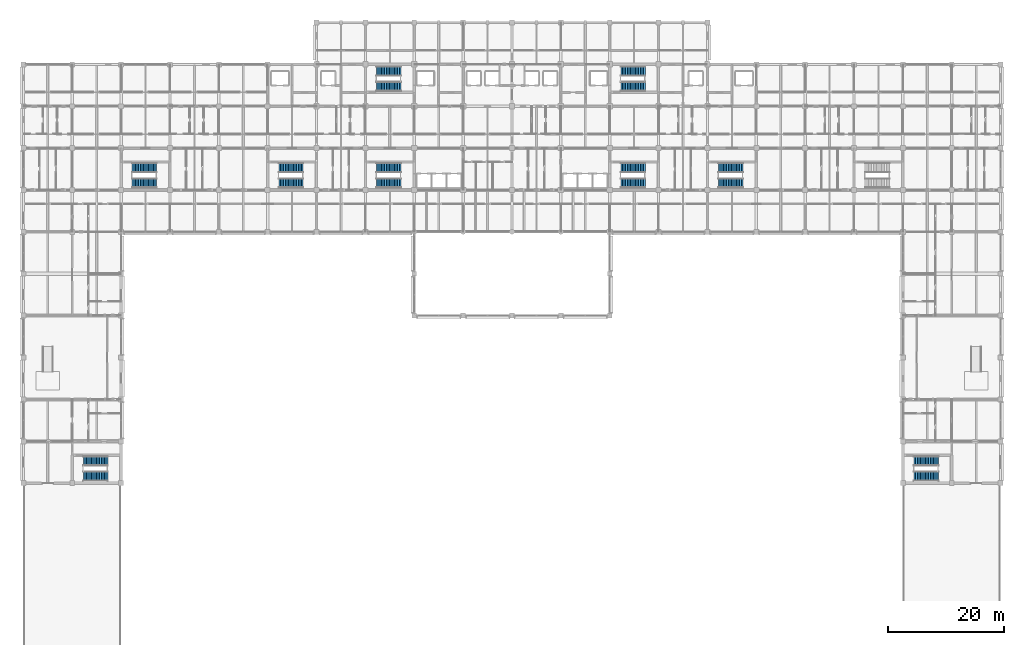
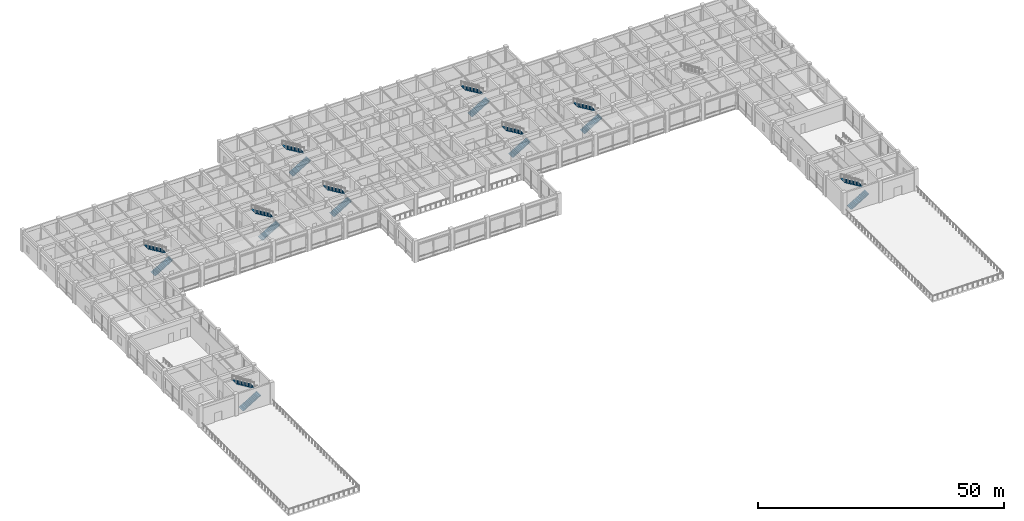
# One storey, part 43 of 51: 18 stair flights, 9 elements without a shape of their own.
"""IFC4 building model written with IfcOpenShell, lengths in metres."""

import ifcopenshell
import ifcopenshell.guid

model = None  # the IFC model being written
_history = None  # IfcOwnerHistory: only IFC2X3 demands one
_inside = {}  # id of a spatial element -> (the spatial element, [elements in it])
_under = {}  # id of a project, library or spatial element -> (it, [spatial elements below it])
_declared = {}  # id of a project -> (the project, [libraries it declares])
_typed = {}  # id of a type object -> (the type object, [elements of that type])
_made_of = {}  # id of a material, layer set ... -> (it, [elements and type objects made of it])


def new_model(schema):
    """Start an empty IFC model of exactly this schema.

    Asked for "IFC4X3", IfcOpenShell would pick the latest addendum, in which some entities
    have other attributes; the version numbers below select the first issue.
    IFC2X3 requires an IfcOwnerHistory on every rooted entity: one is made here for all.
    """
    global model, _history
    if schema == "IFC4X3":
        model = ifcopenshell.file(schema_version=(4, 3, 0, 0))
    else:
        model = ifcopenshell.file(schema=schema)
    _inside.clear()
    _under.clear()
    _declared.clear()
    _typed.clear()
    _made_of.clear()
    _history = None
    if model.schema == "IFC2X3":
        org = make("IfcOrganization", Name="unknown")
        user = make(
            "IfcPersonAndOrganization",
            ThePerson=make("IfcPerson", FamilyName="unknown"),
            TheOrganization=org,
        )
        app = make(
            "IfcApplication",
            ApplicationDeveloper=org,
            Version="unknown",
            ApplicationFullName="unknown",
            ApplicationIdentifier="unknown",
        )
        _history = make(
            "IfcOwnerHistory",
            OwningUser=user,
            OwningApplication=app,
            ChangeAction="ADDED",
            CreationDate=0,
        )
    return model


def make(cls, **values):
    """One entity of the class cls with the attributes given. An attribute that is None is left unset."""
    return model.create_entity(
        cls, **{name: value for name, value in values.items() if value is not None}
    )


def rooted(cls, **values):
    """An entity with a GlobalId (a new one), such as an element, a storey or a relation."""
    return make(cls, GlobalId=ifcopenshell.guid.new(), OwnerHistory=_history, **values)


def si_unit(unit_type, name, prefix=None):
    """IfcSIUnit, for example si_unit("LENGTHUNIT", "METRE", prefix="MILLI")."""
    return make("IfcSIUnit", UnitType=unit_type, Prefix=prefix, Name=name)


def assignment(units):
    """IfcUnitAssignment: the units of a project."""
    return None if units is None else make("IfcUnitAssignment", Units=units)


def point(xyz):
    """IfcCartesianPoint."""
    return None if xyz is None else make("IfcCartesianPoint", Coordinates=xyz)


def direction(xyz):
    """IfcDirection."""
    return None if xyz is None else make("IfcDirection", DirectionRatios=xyz)


def frame(location, z_axis=None, x_axis=None):
    """IfcAxis2Placement3D, a coordinate frame: its origin and axes. An axis left out is left unset."""
    return make(
        "IfcAxis2Placement3D",
        Location=point(location),
        Axis=direction(z_axis),
        RefDirection=direction(x_axis),
    )


def origin():
    """The frame at (0, 0, 0) with its axes left unset."""
    return frame((0.0, 0.0, 0.0))


def place(relative_to, where):
    """IfcLocalPlacement: puts the frame where relative to a parent placement (None: the world)."""
    return make(
        "IfcLocalPlacement", PlacementRelTo=relative_to, RelativePlacement=where
    )


def context(
    kind, dimensions, precision=None, world=None, true_north=None, identifier=None
):
    """IfcGeometricRepresentationContext, for example the 3D "Model" context."""
    return make(
        "IfcGeometricRepresentationContext",
        ContextIdentifier=identifier,
        ContextType=kind,
        CoordinateSpaceDimension=dimensions,
        Precision=precision,
        WorldCoordinateSystem=world,
        TrueNorth=true_north,
    )


def subcontext(parent, identifier, kind, view, scale=None):
    """IfcGeometricRepresentationSubContext, for example "Body" below "Model"."""
    return make(
        "IfcGeometricRepresentationSubContext",
        ContextIdentifier=identifier,
        ContextType=kind,
        ParentContext=parent,
        TargetScale=scale,
        TargetView=view,
    )


def project(units=None, contexts=None):
    """IfcProject with its units and contexts."""
    return rooted(
        "IfcProject",
        Name="project",
        RepresentationContexts=contexts,
        UnitsInContext=assignment(units),
    )


def spatial(cls, under=None, at=None, **own):
    """A site, building, storey or space (cls), placed at a placement, below another one or the project."""
    s = rooted(cls, ObjectPlacement=at, **own)
    if under is not None:
        _under.setdefault(under.id(), (under, []))[1].append(s)
    return s


def polyline(points):
    """IfcPolyline through the points."""
    return make("IfcPolyline", Points=[point(p) for p in points])


def outline(outer, holes=None, kind="AREA"):
    """IfcArbitraryClosedProfileDef: a profile drawn as a closed curve; with holes, ...WithVoids."""
    if holes is None:
        return make("IfcArbitraryClosedProfileDef", ProfileType=kind, OuterCurve=outer)
    return make(
        "IfcArbitraryProfileDefWithVoids",
        ProfileType=kind,
        OuterCurve=outer,
        InnerCurves=holes,
    )


def extrude(swept, where, along, depth):
    """IfcExtrudedAreaSolid: the profile swept, set in the frame where, extruded along a direction by depth."""
    return make(
        "IfcExtrudedAreaSolid",
        SweptArea=swept,
        Position=where,
        ExtrudedDirection=direction(along),
        Depth=depth,
    )


def shape(context_of_items, identifier, shape_type, items):
    """IfcShapeRepresentation: the items that make up one representation, for example the "Body"."""
    return make(
        "IfcShapeRepresentation",
        ContextOfItems=context_of_items,
        RepresentationIdentifier=identifier,
        RepresentationType=shape_type,
        Items=items,
    )


def material(Name=None, Category=None):
    """IfcMaterial."""
    return make("IfcMaterial", Name=Name, Category=Category)


def made_of(thing, what):
    """Note that an element or type object is made of a material, layer set ...; save() writes the relation."""
    if what is not None:
        _made_of.setdefault(what.id(), (what, []))[1].append(thing)
    return thing


def type_object(cls, material=None, **own):
    """A type object (cls), such as IfcWallType, which elements share."""
    return made_of(rooted(cls, **own), material)


def element(
    cls,
    number,
    at=None,
    inside=None,
    cuts=None,
    type_object=None,
    material=None,
    context=None,
    identifier="Body",
    shape_type=None,
    held_by="IfcProductDefinitionShape",
    body=None,
    shapes=None,
    **own,
):
    """One element of the class cls, such as IfcWall. Its Tag is "e" and its number.

    at: its placement. inside: the storey or other place that contains it. cuts: it is an
    opening in that element (IfcRelVoidsElement). A single representation is given by context,
    identifier, shape_type and body (its items); several are given by shapes. held_by: the class
    of the entity that holds the representations. save() writes the other relations.
    """
    e = rooted(cls, Tag="e%d" % number, ObjectPlacement=at, **own)
    if body is not None:
        shapes = [shape(context, identifier, shape_type, body)]
    if shapes is not None:
        e.Representation = make(held_by, Representations=shapes)
    if inside is not None:
        _inside.setdefault(inside.id(), (inside, []))[1].append(e)
    if cuts is not None:
        rooted(
            "IfcRelVoidsElement", RelatingBuildingElement=cuts, RelatedOpeningElement=e
        )
    if type_object is not None:
        _typed.setdefault(type_object.id(), (type_object, []))[1].append(e)
    return made_of(e, material)


def aggregate(whole, parts):
    """IfcRelAggregates: a whole, such as a stair, and the parts it consists of."""
    return rooted("IfcRelAggregates", RelatingObject=whole, RelatedObjects=parts)


def save(model, path):
    """Write the relations noted so far, then the file.

    IfcRelAggregates (storeys below a building ...), IfcRelContainedInSpatialStructure (elements
    in a storey), IfcRelDefinesByType, IfcRelAssociatesMaterial and IfcRelDeclares: one each for
    every whole, place, type object, material and project.
    """
    for whole, parts in _under.values():
        aggregate(whole, parts)
    for where, things in _inside.values():
        rooted(
            "IfcRelContainedInSpatialStructure",
            RelatedElements=things,
            RelatingStructure=where,
        )
    for kind, things in _typed.values():
        rooted("IfcRelDefinesByType", RelatedObjects=things, RelatingType=kind)
    for what, things in _made_of.values():
        rooted("IfcRelAssociatesMaterial", RelatedObjects=things, RelatingMaterial=what)
    for by, libraries in _declared.values():
        rooted("IfcRelDeclares", RelatingContext=by, RelatedDefinitions=libraries)
    model.write(path)


model = new_model("IFC4")

# Units and contexts
model_context = context("Model", 3, precision=1e-05, world=origin(), true_north=direction((0.0, 1.0)))
body_context = subcontext(model_context, "Body", "Model", "MODEL_VIEW")
ifc_project = project(units=[si_unit("LENGTHUNIT", "METRE"), si_unit("AREAUNIT", "SQUARE_METRE"), si_unit("VOLUMEUNIT", "CUBIC_METRE"), si_unit("PLANEANGLEUNIT", "RADIAN"), si_unit("MASSUNIT", "GRAM", prefix="KILO")], contexts=[model_context])

# Site, building, storey
site_placement = place(None, origin())
site = spatial("IfcSite", under=ifc_project, at=site_placement, CompositionType="ELEMENT")
building_placement = place(site_placement, origin())
building = spatial("IfcBuilding", under=site, at=building_placement, Name="Chengyuan Square Courthouse", CompositionType="ELEMENT")
storey_placement = place(building_placement, frame((0.0, 0.0, 10.800048828125)))
storey = spatial("IfcBuildingStorey", under=building, at=storey_placement, Name="L03", CompositionType="ELEMENT", Elevation=10.800048828125)

# Stair, stair flights
ifc_material = material(Name="Concrete C40", Category="concrete")
stair_type_1 = type_object("IfcStairType", Name="ST-TYPE-01", PredefinedType="HALF_TURN_STAIR", material=ifc_material)
stair_1_placement = place(storey_placement, origin())
stair_1 = element("IfcStair", 1, at=stair_1_placement, inside=storey, type_object=stair_type_1, Name="Smoke-Proof Exit Stair ST-1 (L03 to L04)", PredefinedType="HALF_TURN_STAIR")
stair_flight_type_1 = type_object("IfcStairFlightType", Name="STF-TYPE-01", PredefinedType="STRAIGHT", material=ifc_material)
stair_flight_1_placement = place(storey_placement, frame((60.7099609375, 104.175048828125, 0.0), z_axis=(0.0, 0.0, 1.0), x_axis=(1.0, 0.0, 0.0)))
stair_flight_1 = element("IfcStairFlight", 2, at=stair_flight_1_placement, type_object=stair_flight_type_1, Name="ST-1 flight 1", NumberOfRisers=16, NumberOfTreads=15, PredefinedType="STRAIGHT", RiserHeight=0.16875, TreadLength=0.28, context=body_context, shape_type="SweptSolid", body=[
    extrude(outline(polyline([(0.0, 0.0), (0.0, 0.168701171875), (0.280029296875, 0.168701171875), (0.280029296875, 0.33740234375), (0.56005859375, 0.33740234375), (0.56005859375, 0.50634765625), (0.840087890625, 0.50634765625), (0.840087890625, 0.675048828125), (1.1201171875, 0.675048828125), (1.1201171875, 0.84375), (1.39990234375, 0.84375), (1.39990234375, 1.012451171875), (1.679931640625, 1.012451171875), (1.679931640625, 1.18115234375), (1.9599609375, 1.18115234375), (1.9599609375, 1.35009765625), (2.239990234375, 1.35009765625), (2.239990234375, 1.518798828125), (2.52001953125, 1.518798828125), (2.52001953125, 1.6875), (2.800048828125, 1.6875), (2.800048828125, 1.856201171875), (3.080078125, 1.856201171875), (3.080078125, 2.02490234375), (3.360107421875, 2.02490234375), (3.360107421875, 2.19384765625), (3.639892578125, 2.19384765625), (3.639892578125, 2.362548828125), (3.919921875, 2.362548828125), (3.919921875, 2.53125), (4.199951171875, 2.53125), (4.199951171875, 2.699951171875), (4.199951171875, 2.356201171875), (0.29052734375, 0.0), (0.0, 0.0)])), frame((0.0, 0.824951171875, 0.0), z_axis=(0.0, -1.0, 0.0), x_axis=(1.0, 0.0, 0.0)), (0.0, 0.0, 1.0), 1.64990234375),
])
stair_flight_2_placement = place(storey_placement, frame((64.909912109375, 106.824951171875, 2.699951171875), z_axis=(0.0, 0.0, 1.0), x_axis=(-1.0, 0.0, 0.0)))
stair_flight_2 = element("IfcStairFlight", 3, at=stair_flight_2_placement, type_object=stair_flight_type_1, Name="ST-1 flight 2", NumberOfRisers=16, NumberOfTreads=15, PredefinedType="STRAIGHT", RiserHeight=0.16875, TreadLength=0.28, context=body_context, shape_type="SweptSolid", body=[
    extrude(outline(polyline([(0.0, 0.0), (0.0, 0.168701171875), (0.280029296875, 0.168701171875), (0.280029296875, 0.33740234375), (0.56005859375, 0.33740234375), (0.56005859375, 0.50634765625), (0.840087890625, 0.50634765625), (0.840087890625, 0.675048828125), (1.1201171875, 0.675048828125), (1.1201171875, 0.84375), (1.39990234375, 0.84375), (1.39990234375, 1.012451171875), (1.679931640625, 1.012451171875), (1.679931640625, 1.18115234375), (1.9599609375, 1.18115234375), (1.9599609375, 1.35009765625), (2.239990234375, 1.35009765625), (2.239990234375, 1.518798828125), (2.52001953125, 1.518798828125), (2.52001953125, 1.6875), (2.800048828125, 1.6875), (2.800048828125, 1.856201171875), (3.080078125, 1.856201171875), (3.080078125, 2.02490234375), (3.360107421875, 2.02490234375), (3.360107421875, 2.19384765625), (3.639892578125, 2.19384765625), (3.639892578125, 2.362548828125), (3.919921875, 2.362548828125), (3.919921875, 2.53125), (4.199951171875, 2.53125), (4.199951171875, 2.699951171875), (4.199951171875, 2.356201171875), (0.29052734375, 0.0), (0.0, 0.0)])), frame((0.0, 0.824951171875, 0.0), z_axis=(0.0, -1.0, 0.0), x_axis=(1.0, 0.0, 0.0)), (0.0, 0.0, 1.0), 1.64990234375),
])
aggregate(stair_1, [stair_flight_1, stair_flight_2])

stair_type_2 = type_object("IfcStairType", Name="ST-TYPE-02", PredefinedType="HALF_TURN_STAIR", material=ifc_material)
stair_2_placement = place(storey_placement, origin())
stair_2 = element("IfcStair", 4, at=stair_2_placement, inside=storey, type_object=stair_type_2, Name="Smoke-Proof Exit Stair ST-2 (L03 to L04)", PredefinedType="HALF_TURN_STAIR")
stair_flight_type_2 = type_object("IfcStairFlightType", Name="STF-TYPE-02", PredefinedType="STRAIGHT", material=ifc_material)
stair_flight_3_placement = place(storey_placement, frame((102.7099609375, 104.175048828125, 0.0), z_axis=(0.0, 0.0, 1.0), x_axis=(1.0, 0.0, 0.0)))
stair_flight_3 = element("IfcStairFlight", 5, at=stair_flight_3_placement, type_object=stair_flight_type_2, Name="ST-2 flight 1", NumberOfRisers=16, NumberOfTreads=15, PredefinedType="STRAIGHT", RiserHeight=0.16875, TreadLength=0.28, context=body_context, shape_type="SweptSolid", body=[
    extrude(outline(polyline([(0.0, 0.0), (0.0, 0.168701171875), (0.280029296875, 0.168701171875), (0.280029296875, 0.33740234375), (0.56005859375, 0.33740234375), (0.56005859375, 0.50634765625), (0.840087890625, 0.50634765625), (0.840087890625, 0.675048828125), (1.1201171875, 0.675048828125), (1.1201171875, 0.84375), (1.39990234375, 0.84375), (1.39990234375, 1.012451171875), (1.679931640625, 1.012451171875), (1.679931640625, 1.18115234375), (1.9599609375, 1.18115234375), (1.9599609375, 1.35009765625), (2.239990234375, 1.35009765625), (2.239990234375, 1.518798828125), (2.52001953125, 1.518798828125), (2.52001953125, 1.6875), (2.800048828125, 1.6875), (2.800048828125, 1.856201171875), (3.080078125, 1.856201171875), (3.080078125, 2.02490234375), (3.360107421875, 2.02490234375), (3.360107421875, 2.19384765625), (3.639892578125, 2.19384765625), (3.639892578125, 2.362548828125), (3.919921875, 2.362548828125), (3.919921875, 2.53125), (4.199951171875, 2.53125), (4.199951171875, 2.699951171875), (4.199951171875, 2.356201171875), (0.29052734375, 0.0), (0.0, 0.0)])), frame((0.0, 0.824951171875, 0.0), z_axis=(0.0, -1.0, 0.0), x_axis=(1.0, 0.0, 0.0)), (0.0, 0.0, 1.0), 1.64990234375),
])
stair_flight_4_placement = place(storey_placement, frame((106.909912109375, 106.824951171875, 2.699951171875), z_axis=(0.0, 0.0, 1.0), x_axis=(-1.0, 0.0, 0.0)))
stair_flight_4 = element("IfcStairFlight", 6, at=stair_flight_4_placement, type_object=stair_flight_type_2, Name="ST-2 flight 2", NumberOfRisers=16, NumberOfTreads=15, PredefinedType="STRAIGHT", RiserHeight=0.16875, TreadLength=0.28, context=body_context, shape_type="SweptSolid", body=[
    extrude(outline(polyline([(0.0, 0.0), (0.0, 0.168701171875), (0.280029296875, 0.168701171875), (0.280029296875, 0.33740234375), (0.56005859375, 0.33740234375), (0.56005859375, 0.50634765625), (0.840087890625, 0.50634765625), (0.840087890625, 0.675048828125), (1.1201171875, 0.675048828125), (1.1201171875, 0.84375), (1.39990234375, 0.84375), (1.39990234375, 1.012451171875), (1.679931640625, 1.012451171875), (1.679931640625, 1.18115234375), (1.9599609375, 1.18115234375), (1.9599609375, 1.35009765625), (2.239990234375, 1.35009765625), (2.239990234375, 1.518798828125), (2.52001953125, 1.518798828125), (2.52001953125, 1.6875), (2.800048828125, 1.6875), (2.800048828125, 1.856201171875), (3.080078125, 1.856201171875), (3.080078125, 2.02490234375), (3.360107421875, 2.02490234375), (3.360107421875, 2.19384765625), (3.639892578125, 2.19384765625), (3.639892578125, 2.362548828125), (3.919921875, 2.362548828125), (3.919921875, 2.53125), (4.199951171875, 2.53125), (4.199951171875, 2.699951171875), (4.199951171875, 2.356201171875), (0.29052734375, 0.0), (0.0, 0.0)])), frame((0.0, 0.824951171875, 0.0), z_axis=(0.0, -1.0, 0.0), x_axis=(1.0, 0.0, 0.0)), (0.0, 0.0, 1.0), 1.64990234375),
])
aggregate(stair_2, [stair_flight_3, stair_flight_4])

stair_type_3 = type_object("IfcStairType", Name="ST-TYPE-03", PredefinedType="HALF_TURN_STAIR", material=ifc_material)
stair_3_placement = place(storey_placement, origin())
stair_3 = element("IfcStair", 7, at=stair_3_placement, inside=storey, type_object=stair_type_3, Name="Smoke-Proof Exit Stair ST-3 (L03 to L04)", PredefinedType="HALF_TURN_STAIR")
stair_flight_type_3 = type_object("IfcStairFlightType", Name="STF-TYPE-03", PredefinedType="STRAIGHT", material=ifc_material)
stair_flight_5_placement = place(storey_placement, frame((60.7099609375, 87.574951171875, 0.0), z_axis=(0.0, 0.0, 1.0), x_axis=(1.0, 0.0, 0.0)))
stair_flight_5 = element("IfcStairFlight", 8, at=stair_flight_5_placement, type_object=stair_flight_type_3, Name="ST-3 flight 1", NumberOfRisers=16, NumberOfTreads=15, PredefinedType="STRAIGHT", RiserHeight=0.16875, TreadLength=0.28, context=body_context, shape_type="SweptSolid", body=[
    extrude(outline(polyline([(0.0, 0.0), (0.0, 0.168701171875), (0.280029296875, 0.168701171875), (0.280029296875, 0.33740234375), (0.56005859375, 0.33740234375), (0.56005859375, 0.50634765625), (0.840087890625, 0.50634765625), (0.840087890625, 0.675048828125), (1.1201171875, 0.675048828125), (1.1201171875, 0.84375), (1.39990234375, 0.84375), (1.39990234375, 1.012451171875), (1.679931640625, 1.012451171875), (1.679931640625, 1.18115234375), (1.9599609375, 1.18115234375), (1.9599609375, 1.35009765625), (2.239990234375, 1.35009765625), (2.239990234375, 1.518798828125), (2.52001953125, 1.518798828125), (2.52001953125, 1.6875), (2.800048828125, 1.6875), (2.800048828125, 1.856201171875), (3.080078125, 1.856201171875), (3.080078125, 2.02490234375), (3.360107421875, 2.02490234375), (3.360107421875, 2.19384765625), (3.639892578125, 2.19384765625), (3.639892578125, 2.362548828125), (3.919921875, 2.362548828125), (3.919921875, 2.53125), (4.199951171875, 2.53125), (4.199951171875, 2.699951171875), (4.199951171875, 2.356201171875), (0.29052734375, 0.0), (0.0, 0.0)])), frame((0.0, 0.824951171875, 0.0), z_axis=(0.0, -1.0, 0.0), x_axis=(1.0, 0.0, 0.0)), (0.0, 0.0, 1.0), 1.64990234375),
])
stair_flight_6_placement = place(storey_placement, frame((64.909912109375, 90.22509765625, 2.699951171875), z_axis=(0.0, 0.0, 1.0), x_axis=(-1.0, 0.0, 0.0)))
stair_flight_6 = element("IfcStairFlight", 9, at=stair_flight_6_placement, type_object=stair_flight_type_3, Name="ST-3 flight 2", NumberOfRisers=16, NumberOfTreads=15, PredefinedType="STRAIGHT", RiserHeight=0.16875, TreadLength=0.28, context=body_context, shape_type="SweptSolid", body=[
    extrude(outline(polyline([(0.0, 0.0), (0.0, 0.168701171875), (0.280029296875, 0.168701171875), (0.280029296875, 0.33740234375), (0.56005859375, 0.33740234375), (0.56005859375, 0.50634765625), (0.840087890625, 0.50634765625), (0.840087890625, 0.675048828125), (1.1201171875, 0.675048828125), (1.1201171875, 0.84375), (1.39990234375, 0.84375), (1.39990234375, 1.012451171875), (1.679931640625, 1.012451171875), (1.679931640625, 1.18115234375), (1.9599609375, 1.18115234375), (1.9599609375, 1.35009765625), (2.239990234375, 1.35009765625), (2.239990234375, 1.518798828125), (2.52001953125, 1.518798828125), (2.52001953125, 1.6875), (2.800048828125, 1.6875), (2.800048828125, 1.856201171875), (3.080078125, 1.856201171875), (3.080078125, 2.02490234375), (3.360107421875, 2.02490234375), (3.360107421875, 2.19384765625), (3.639892578125, 2.19384765625), (3.639892578125, 2.362548828125), (3.919921875, 2.362548828125), (3.919921875, 2.53125), (4.199951171875, 2.53125), (4.199951171875, 2.699951171875), (4.199951171875, 2.356201171875), (0.29052734375, 0.0), (0.0, 0.0)])), frame((0.0, 0.824951171875, 0.0), z_axis=(0.0, -1.0, 0.0), x_axis=(1.0, 0.0, 0.0)), (0.0, 0.0, 1.0), 1.64990234375),
])
aggregate(stair_3, [stair_flight_5, stair_flight_6])

stair_type_4 = type_object("IfcStairType", Name="ST-TYPE-04", PredefinedType="HALF_TURN_STAIR", material=ifc_material)
stair_4_placement = place(storey_placement, origin())
stair_4 = element("IfcStair", 10, at=stair_4_placement, inside=storey, type_object=stair_type_4, Name="Smoke-Proof Exit Stair ST-4 (L03 to L04)", PredefinedType="HALF_TURN_STAIR")
stair_flight_type_4 = type_object("IfcStairFlightType", Name="STF-TYPE-04", PredefinedType="STRAIGHT", material=ifc_material)
stair_flight_7_placement = place(storey_placement, frame((102.7099609375, 87.574951171875, 0.0), z_axis=(0.0, 0.0, 1.0), x_axis=(1.0, 0.0, 0.0)))
stair_flight_7 = element("IfcStairFlight", 11, at=stair_flight_7_placement, type_object=stair_flight_type_4, Name="ST-4 flight 1", NumberOfRisers=16, NumberOfTreads=15, PredefinedType="STRAIGHT", RiserHeight=0.16875, TreadLength=0.28, context=body_context, shape_type="SweptSolid", body=[
    extrude(outline(polyline([(0.0, 0.0), (0.0, 0.168701171875), (0.280029296875, 0.168701171875), (0.280029296875, 0.33740234375), (0.56005859375, 0.33740234375), (0.56005859375, 0.50634765625), (0.840087890625, 0.50634765625), (0.840087890625, 0.675048828125), (1.1201171875, 0.675048828125), (1.1201171875, 0.84375), (1.39990234375, 0.84375), (1.39990234375, 1.012451171875), (1.679931640625, 1.012451171875), (1.679931640625, 1.18115234375), (1.9599609375, 1.18115234375), (1.9599609375, 1.35009765625), (2.239990234375, 1.35009765625), (2.239990234375, 1.518798828125), (2.52001953125, 1.518798828125), (2.52001953125, 1.6875), (2.800048828125, 1.6875), (2.800048828125, 1.856201171875), (3.080078125, 1.856201171875), (3.080078125, 2.02490234375), (3.360107421875, 2.02490234375), (3.360107421875, 2.19384765625), (3.639892578125, 2.19384765625), (3.639892578125, 2.362548828125), (3.919921875, 2.362548828125), (3.919921875, 2.53125), (4.199951171875, 2.53125), (4.199951171875, 2.699951171875), (4.199951171875, 2.356201171875), (0.29052734375, 0.0), (0.0, 0.0)])), frame((0.0, 0.824951171875, 0.0), z_axis=(0.0, -1.0, 0.0), x_axis=(1.0, 0.0, 0.0)), (0.0, 0.0, 1.0), 1.64990234375),
])
stair_flight_8_placement = place(storey_placement, frame((106.909912109375, 90.22509765625, 2.699951171875), z_axis=(0.0, 0.0, 1.0), x_axis=(-1.0, 0.0, 0.0)))
stair_flight_8 = element("IfcStairFlight", 12, at=stair_flight_8_placement, type_object=stair_flight_type_4, Name="ST-4 flight 2", NumberOfRisers=16, NumberOfTreads=15, PredefinedType="STRAIGHT", RiserHeight=0.16875, TreadLength=0.28, context=body_context, shape_type="SweptSolid", body=[
    extrude(outline(polyline([(0.0, 0.0), (0.0, 0.168701171875), (0.280029296875, 0.168701171875), (0.280029296875, 0.33740234375), (0.56005859375, 0.33740234375), (0.56005859375, 0.50634765625), (0.840087890625, 0.50634765625), (0.840087890625, 0.675048828125), (1.1201171875, 0.675048828125), (1.1201171875, 0.84375), (1.39990234375, 0.84375), (1.39990234375, 1.012451171875), (1.679931640625, 1.012451171875), (1.679931640625, 1.18115234375), (1.9599609375, 1.18115234375), (1.9599609375, 1.35009765625), (2.239990234375, 1.35009765625), (2.239990234375, 1.518798828125), (2.52001953125, 1.518798828125), (2.52001953125, 1.6875), (2.800048828125, 1.6875), (2.800048828125, 1.856201171875), (3.080078125, 1.856201171875), (3.080078125, 2.02490234375), (3.360107421875, 2.02490234375), (3.360107421875, 2.19384765625), (3.639892578125, 2.19384765625), (3.639892578125, 2.362548828125), (3.919921875, 2.362548828125), (3.919921875, 2.53125), (4.199951171875, 2.53125), (4.199951171875, 2.699951171875), (4.199951171875, 2.356201171875), (0.29052734375, 0.0), (0.0, 0.0)])), frame((0.0, 0.824951171875, 0.0), z_axis=(0.0, -1.0, 0.0), x_axis=(1.0, 0.0, 0.0)), (0.0, 0.0, 1.0), 1.64990234375),
])
aggregate(stair_4, [stair_flight_7, stair_flight_8])

stair_type_5 = type_object("IfcStairType", Name="ST-TYPE-05", PredefinedType="HALF_TURN_STAIR", material=ifc_material)
stair_5_placement = place(storey_placement, origin())
stair_5 = element("IfcStair", 13, at=stair_5_placement, inside=storey, type_object=stair_type_5, Name="Smoke-Proof Exit Stair ST-5 (L03 to L04)", PredefinedType="HALF_TURN_STAIR")
stair_flight_type_5 = type_object("IfcStairFlightType", Name="STF-TYPE-05", PredefinedType="STRAIGHT", material=ifc_material)
stair_flight_9_placement = place(storey_placement, frame((43.909912109375, 87.574951171875, 0.0), z_axis=(0.0, 0.0, 1.0), x_axis=(1.0, 0.0, 0.0)))
stair_flight_9 = element("IfcStairFlight", 14, at=stair_flight_9_placement, type_object=stair_flight_type_5, Name="ST-5 flight 1", NumberOfRisers=16, NumberOfTreads=15, PredefinedType="STRAIGHT", RiserHeight=0.16875, TreadLength=0.28, context=body_context, shape_type="SweptSolid", body=[
    extrude(outline(polyline([(0.0, 0.0), (0.0, 0.168701171875), (0.280029296875, 0.168701171875), (0.280029296875, 0.33740234375), (0.56005859375, 0.33740234375), (0.56005859375, 0.50634765625), (0.840087890625, 0.50634765625), (0.840087890625, 0.675048828125), (1.1201171875, 0.675048828125), (1.1201171875, 0.84375), (1.39990234375, 0.84375), (1.39990234375, 1.012451171875), (1.679931640625, 1.012451171875), (1.679931640625, 1.18115234375), (1.9599609375, 1.18115234375), (1.9599609375, 1.35009765625), (2.239990234375, 1.35009765625), (2.239990234375, 1.518798828125), (2.52001953125, 1.518798828125), (2.52001953125, 1.6875), (2.800048828125, 1.6875), (2.800048828125, 1.856201171875), (3.080078125, 1.856201171875), (3.080078125, 2.02490234375), (3.360107421875, 2.02490234375), (3.360107421875, 2.19384765625), (3.639892578125, 2.19384765625), (3.639892578125, 2.362548828125), (3.919921875, 2.362548828125), (3.919921875, 2.53125), (4.199951171875, 2.53125), (4.199951171875, 2.699951171875), (4.199951171875, 2.356201171875), (0.29052734375, 0.0), (0.0, 0.0)])), frame((0.0, 0.824951171875, 0.0), z_axis=(0.0, -1.0, 0.0), x_axis=(1.0, 0.0, 0.0)), (0.0, 0.0, 1.0), 1.64990234375),
])
stair_flight_10_placement = place(storey_placement, frame((48.110107421875, 90.22509765625, 2.699951171875), z_axis=(0.0, 0.0, 1.0), x_axis=(-1.0, 0.0, 0.0)))
stair_flight_10 = element("IfcStairFlight", 15, at=stair_flight_10_placement, type_object=stair_flight_type_5, Name="ST-5 flight 2", NumberOfRisers=16, NumberOfTreads=15, PredefinedType="STRAIGHT", RiserHeight=0.16875, TreadLength=0.28, context=body_context, shape_type="SweptSolid", body=[
    extrude(outline(polyline([(0.0, 0.0), (0.0, 0.168701171875), (0.280029296875, 0.168701171875), (0.280029296875, 0.33740234375), (0.56005859375, 0.33740234375), (0.56005859375, 0.50634765625), (0.840087890625, 0.50634765625), (0.840087890625, 0.675048828125), (1.1201171875, 0.675048828125), (1.1201171875, 0.84375), (1.39990234375, 0.84375), (1.39990234375, 1.012451171875), (1.679931640625, 1.012451171875), (1.679931640625, 1.18115234375), (1.9599609375, 1.18115234375), (1.9599609375, 1.35009765625), (2.239990234375, 1.35009765625), (2.239990234375, 1.518798828125), (2.52001953125, 1.518798828125), (2.52001953125, 1.6875), (2.800048828125, 1.6875), (2.800048828125, 1.856201171875), (3.080078125, 1.856201171875), (3.080078125, 2.02490234375), (3.360107421875, 2.02490234375), (3.360107421875, 2.19384765625), (3.639892578125, 2.19384765625), (3.639892578125, 2.362548828125), (3.919921875, 2.362548828125), (3.919921875, 2.53125), (4.199951171875, 2.53125), (4.199951171875, 2.699951171875), (4.199951171875, 2.356201171875), (0.29052734375, 0.0), (0.0, 0.0)])), frame((0.0, 0.824951171875, 0.0), z_axis=(0.0, -1.0, 0.0), x_axis=(1.0, 0.0, 0.0)), (0.0, 0.0, 1.0), 1.64990234375),
])
aggregate(stair_5, [stair_flight_9, stair_flight_10])

stair_type_6 = type_object("IfcStairType", Name="ST-TYPE-06", PredefinedType="HALF_TURN_STAIR", material=ifc_material)
stair_6_placement = place(storey_placement, origin())
stair_6 = element("IfcStair", 16, at=stair_6_placement, inside=storey, type_object=stair_type_6, Name="Smoke-Proof Exit Stair ST-6 (L03 to L04)", PredefinedType="HALF_TURN_STAIR")
stair_flight_type_6 = type_object("IfcStairFlightType", Name="STF-TYPE-06", PredefinedType="STRAIGHT", material=ifc_material)
stair_flight_11_placement = place(storey_placement, frame((119.510009765625, 87.574951171875, 0.0), z_axis=(0.0, 0.0, 1.0), x_axis=(1.0, 0.0, 0.0)))
stair_flight_11 = element("IfcStairFlight", 17, at=stair_flight_11_placement, type_object=stair_flight_type_6, Name="ST-6 flight 1", NumberOfRisers=16, NumberOfTreads=15, PredefinedType="STRAIGHT", RiserHeight=0.16875, TreadLength=0.28, context=body_context, shape_type="SweptSolid", body=[
    extrude(outline(polyline([(0.0, 0.0), (0.0, 0.168701171875), (0.280029296875, 0.168701171875), (0.280029296875, 0.33740234375), (0.56005859375, 0.33740234375), (0.56005859375, 0.50634765625), (0.840087890625, 0.50634765625), (0.840087890625, 0.675048828125), (1.1201171875, 0.675048828125), (1.1201171875, 0.84375), (1.39990234375, 0.84375), (1.39990234375, 1.012451171875), (1.679931640625, 1.012451171875), (1.679931640625, 1.18115234375), (1.9599609375, 1.18115234375), (1.9599609375, 1.35009765625), (2.239990234375, 1.35009765625), (2.239990234375, 1.518798828125), (2.52001953125, 1.518798828125), (2.52001953125, 1.6875), (2.800048828125, 1.6875), (2.800048828125, 1.856201171875), (3.080078125, 1.856201171875), (3.080078125, 2.02490234375), (3.360107421875, 2.02490234375), (3.360107421875, 2.19384765625), (3.639892578125, 2.19384765625), (3.639892578125, 2.362548828125), (3.919921875, 2.362548828125), (3.919921875, 2.53125), (4.199951171875, 2.53125), (4.199951171875, 2.699951171875), (4.199951171875, 2.356201171875), (0.29052734375, 0.0), (0.0, 0.0)])), frame((0.0, 0.824951171875, 0.0), z_axis=(0.0, -1.0, 0.0), x_axis=(1.0, 0.0, 0.0)), (0.0, 0.0, 1.0), 1.64990234375),
])
stair_flight_12_placement = place(storey_placement, frame((123.7099609375, 90.22509765625, 2.699951171875), z_axis=(0.0, 0.0, 1.0), x_axis=(-1.0, 0.0, 0.0)))
stair_flight_12 = element("IfcStairFlight", 18, at=stair_flight_12_placement, type_object=stair_flight_type_6, Name="ST-6 flight 2", NumberOfRisers=16, NumberOfTreads=15, PredefinedType="STRAIGHT", RiserHeight=0.16875, TreadLength=0.28, context=body_context, shape_type="SweptSolid", body=[
    extrude(outline(polyline([(0.0, 0.0), (0.0, 0.168701171875), (0.280029296875, 0.168701171875), (0.280029296875, 0.33740234375), (0.56005859375, 0.33740234375), (0.56005859375, 0.50634765625), (0.840087890625, 0.50634765625), (0.840087890625, 0.675048828125), (1.1201171875, 0.675048828125), (1.1201171875, 0.84375), (1.39990234375, 0.84375), (1.39990234375, 1.012451171875), (1.679931640625, 1.012451171875), (1.679931640625, 1.18115234375), (1.9599609375, 1.18115234375), (1.9599609375, 1.35009765625), (2.239990234375, 1.35009765625), (2.239990234375, 1.518798828125), (2.52001953125, 1.518798828125), (2.52001953125, 1.6875), (2.800048828125, 1.6875), (2.800048828125, 1.856201171875), (3.080078125, 1.856201171875), (3.080078125, 2.02490234375), (3.360107421875, 2.02490234375), (3.360107421875, 2.19384765625), (3.639892578125, 2.19384765625), (3.639892578125, 2.362548828125), (3.919921875, 2.362548828125), (3.919921875, 2.53125), (4.199951171875, 2.53125), (4.199951171875, 2.699951171875), (4.199951171875, 2.356201171875), (0.29052734375, 0.0), (0.0, 0.0)])), frame((0.0, 0.824951171875, 0.0), z_axis=(0.0, -1.0, 0.0), x_axis=(1.0, 0.0, 0.0)), (0.0, 0.0, 1.0), 1.64990234375),
])
aggregate(stair_6, [stair_flight_11, stair_flight_12])

stair_type_7 = type_object("IfcStairType", Name="ST-TYPE-07", PredefinedType="HALF_TURN_STAIR", material=ifc_material)
stair_7_placement = place(storey_placement, origin())
stair_7 = element("IfcStair", 19, at=stair_7_placement, inside=storey, type_object=stair_type_7, Name="Smoke-Proof Exit Stair ST-7 (L03 to L04)", PredefinedType="HALF_TURN_STAIR")
stair_flight_type_7 = type_object("IfcStairFlightType", Name="STF-TYPE-07", PredefinedType="STRAIGHT", material=ifc_material)
stair_flight_13_placement = place(storey_placement, frame((10.31005859375, 37.175048828125, 0.0), z_axis=(0.0, 0.0, 1.0), x_axis=(1.0, 0.0, 0.0)))
stair_flight_13 = element("IfcStairFlight", 20, at=stair_flight_13_placement, type_object=stair_flight_type_7, Name="ST-7 flight 1", NumberOfRisers=16, NumberOfTreads=15, PredefinedType="STRAIGHT", RiserHeight=0.16875, TreadLength=0.28, context=body_context, shape_type="SweptSolid", body=[
    extrude(outline(polyline([(0.0, 0.0), (0.0, 0.168701171875), (0.280029296875, 0.168701171875), (0.280029296875, 0.33740234375), (0.56005859375, 0.33740234375), (0.56005859375, 0.50634765625), (0.840087890625, 0.50634765625), (0.840087890625, 0.675048828125), (1.1201171875, 0.675048828125), (1.1201171875, 0.84375), (1.39990234375, 0.84375), (1.39990234375, 1.012451171875), (1.679931640625, 1.012451171875), (1.679931640625, 1.18115234375), (1.9599609375, 1.18115234375), (1.9599609375, 1.35009765625), (2.239990234375, 1.35009765625), (2.239990234375, 1.518798828125), (2.52001953125, 1.518798828125), (2.52001953125, 1.6875), (2.800048828125, 1.6875), (2.800048828125, 1.856201171875), (3.080078125, 1.856201171875), (3.080078125, 2.02490234375), (3.360107421875, 2.02490234375), (3.360107421875, 2.19384765625), (3.639892578125, 2.19384765625), (3.639892578125, 2.362548828125), (3.919921875, 2.362548828125), (3.919921875, 2.53125), (4.199951171875, 2.53125), (4.199951171875, 2.699951171875), (4.199951171875, 2.356201171875), (0.29052734375, 0.0), (0.0, 0.0)])), frame((0.0, 0.824951171875, 0.0), z_axis=(0.0, -1.0, 0.0), x_axis=(1.0, 0.0, 0.0)), (0.0, 0.0, 1.0), 1.64990234375),
])
stair_flight_14_placement = place(storey_placement, frame((14.510009765625, 39.824951171875, 2.699951171875), z_axis=(0.0, 0.0, 1.0), x_axis=(-1.0, 0.0, 0.0)))
stair_flight_14 = element("IfcStairFlight", 21, at=stair_flight_14_placement, type_object=stair_flight_type_7, Name="ST-7 flight 2", NumberOfRisers=16, NumberOfTreads=15, PredefinedType="STRAIGHT", RiserHeight=0.16875, TreadLength=0.28, context=body_context, shape_type="SweptSolid", body=[
    extrude(outline(polyline([(0.0, 0.0), (0.0, 0.168701171875), (0.280029296875, 0.168701171875), (0.280029296875, 0.33740234375), (0.56005859375, 0.33740234375), (0.56005859375, 0.50634765625), (0.840087890625, 0.50634765625), (0.840087890625, 0.675048828125), (1.1201171875, 0.675048828125), (1.1201171875, 0.84375), (1.39990234375, 0.84375), (1.39990234375, 1.012451171875), (1.679931640625, 1.012451171875), (1.679931640625, 1.18115234375), (1.9599609375, 1.18115234375), (1.9599609375, 1.35009765625), (2.239990234375, 1.35009765625), (2.239990234375, 1.518798828125), (2.52001953125, 1.518798828125), (2.52001953125, 1.6875), (2.800048828125, 1.6875), (2.800048828125, 1.856201171875), (3.080078125, 1.856201171875), (3.080078125, 2.02490234375), (3.360107421875, 2.02490234375), (3.360107421875, 2.19384765625), (3.639892578125, 2.19384765625), (3.639892578125, 2.362548828125), (3.919921875, 2.362548828125), (3.919921875, 2.53125), (4.199951171875, 2.53125), (4.199951171875, 2.699951171875), (4.199951171875, 2.356201171875), (0.29052734375, 0.0), (0.0, 0.0)])), frame((0.0, 0.824951171875, 0.0), z_axis=(0.0, -1.0, 0.0), x_axis=(1.0, 0.0, 0.0)), (0.0, 0.0, 1.0), 1.64990234375),
])
aggregate(stair_7, [stair_flight_13, stair_flight_14])

stair_type_8 = type_object("IfcStairType", Name="ST-TYPE-08", PredefinedType="HALF_TURN_STAIR", material=ifc_material)
stair_8_placement = place(storey_placement, origin())
stair_8 = element("IfcStair", 22, at=stair_8_placement, inside=storey, type_object=stair_type_8, Name="Smoke-Proof Exit Stair ST-8 (L03 to L04)", PredefinedType="HALF_TURN_STAIR")
stair_flight_type_8 = type_object("IfcStairFlightType", Name="STF-TYPE-08", PredefinedType="STRAIGHT", material=ifc_material)
stair_flight_15_placement = place(storey_placement, frame((153.110107421875, 37.175048828125, 0.0), z_axis=(0.0, 0.0, 1.0), x_axis=(1.0, 0.0, 0.0)))
stair_flight_15 = element("IfcStairFlight", 23, at=stair_flight_15_placement, type_object=stair_flight_type_8, Name="ST-8 flight 1", NumberOfRisers=16, NumberOfTreads=15, PredefinedType="STRAIGHT", RiserHeight=0.16875, TreadLength=0.28, context=body_context, shape_type="SweptSolid", body=[
    extrude(outline(polyline([(0.0, 0.0), (0.0, 0.168701171875), (0.280029296875, 0.168701171875), (0.280029296875, 0.33740234375), (0.56005859375, 0.33740234375), (0.56005859375, 0.50634765625), (0.840087890625, 0.50634765625), (0.840087890625, 0.675048828125), (1.1201171875, 0.675048828125), (1.1201171875, 0.84375), (1.39990234375, 0.84375), (1.39990234375, 1.012451171875), (1.679931640625, 1.012451171875), (1.679931640625, 1.18115234375), (1.9599609375, 1.18115234375), (1.9599609375, 1.35009765625), (2.239990234375, 1.35009765625), (2.239990234375, 1.518798828125), (2.52001953125, 1.518798828125), (2.52001953125, 1.6875), (2.800048828125, 1.6875), (2.800048828125, 1.856201171875), (3.080078125, 1.856201171875), (3.080078125, 2.02490234375), (3.360107421875, 2.02490234375), (3.360107421875, 2.19384765625), (3.639892578125, 2.19384765625), (3.639892578125, 2.362548828125), (3.919921875, 2.362548828125), (3.919921875, 2.53125), (4.199951171875, 2.53125), (4.199951171875, 2.699951171875), (4.199951171875, 2.356201171875), (0.29052734375, 0.0), (0.0, 0.0)])), frame((0.0, 0.824951171875, 0.0), z_axis=(0.0, -1.0, 0.0), x_axis=(1.0, 0.0, 0.0)), (0.0, 0.0, 1.0), 1.64990234375),
])
stair_flight_16_placement = place(storey_placement, frame((157.31005859375, 39.824951171875, 2.699951171875), z_axis=(0.0, 0.0, 1.0), x_axis=(-1.0, 0.0, 0.0)))
stair_flight_16 = element("IfcStairFlight", 24, at=stair_flight_16_placement, type_object=stair_flight_type_8, Name="ST-8 flight 2", NumberOfRisers=16, NumberOfTreads=15, PredefinedType="STRAIGHT", RiserHeight=0.16875, TreadLength=0.28, context=body_context, shape_type="SweptSolid", body=[
    extrude(outline(polyline([(0.0, 0.0), (0.0, 0.168701171875), (0.280029296875, 0.168701171875), (0.280029296875, 0.33740234375), (0.56005859375, 0.33740234375), (0.56005859375, 0.50634765625), (0.840087890625, 0.50634765625), (0.840087890625, 0.675048828125), (1.1201171875, 0.675048828125), (1.1201171875, 0.84375), (1.39990234375, 0.84375), (1.39990234375, 1.012451171875), (1.679931640625, 1.012451171875), (1.679931640625, 1.18115234375), (1.9599609375, 1.18115234375), (1.9599609375, 1.35009765625), (2.239990234375, 1.35009765625), (2.239990234375, 1.518798828125), (2.52001953125, 1.518798828125), (2.52001953125, 1.6875), (2.800048828125, 1.6875), (2.800048828125, 1.856201171875), (3.080078125, 1.856201171875), (3.080078125, 2.02490234375), (3.360107421875, 2.02490234375), (3.360107421875, 2.19384765625), (3.639892578125, 2.19384765625), (3.639892578125, 2.362548828125), (3.919921875, 2.362548828125), (3.919921875, 2.53125), (4.199951171875, 2.53125), (4.199951171875, 2.699951171875), (4.199951171875, 2.356201171875), (0.29052734375, 0.0), (0.0, 0.0)])), frame((0.0, 0.824951171875, 0.0), z_axis=(0.0, -1.0, 0.0), x_axis=(1.0, 0.0, 0.0)), (0.0, 0.0, 1.0), 1.64990234375),
])
aggregate(stair_8, [stair_flight_15, stair_flight_16])

stair_type_9 = type_object("IfcStairType", Name="ST-TYPE-09", PredefinedType="HALF_TURN_STAIR", material=ifc_material)
stair_9_placement = place(storey_placement, origin())
stair_9 = element("IfcStair", 25, at=stair_9_placement, inside=storey, type_object=stair_type_9, Name="Smoke-Proof Exit Stair ST-9 (L03 to L04)", PredefinedType="HALF_TURN_STAIR")
stair_flight_type_9 = type_object("IfcStairFlightType", Name="STF-TYPE-09", PredefinedType="STRAIGHT", material=ifc_material)
stair_flight_17_placement = place(storey_placement, frame((18.7099609375, 87.574951171875, 0.0), z_axis=(0.0, 0.0, 1.0), x_axis=(1.0, 0.0, 0.0)))
stair_flight_17 = element("IfcStairFlight", 26, at=stair_flight_17_placement, type_object=stair_flight_type_9, Name="ST-9 flight 1", NumberOfRisers=16, NumberOfTreads=15, PredefinedType="STRAIGHT", RiserHeight=0.16875, TreadLength=0.28, context=body_context, shape_type="SweptSolid", body=[
    extrude(outline(polyline([(0.0, 0.0), (0.0, 0.168701171875), (0.280029296875, 0.168701171875), (0.280029296875, 0.33740234375), (0.56005859375, 0.33740234375), (0.56005859375, 0.50634765625), (0.840087890625, 0.50634765625), (0.840087890625, 0.675048828125), (1.1201171875, 0.675048828125), (1.1201171875, 0.84375), (1.39990234375, 0.84375), (1.39990234375, 1.012451171875), (1.679931640625, 1.012451171875), (1.679931640625, 1.18115234375), (1.9599609375, 1.18115234375), (1.9599609375, 1.35009765625), (2.239990234375, 1.35009765625), (2.239990234375, 1.518798828125), (2.52001953125, 1.518798828125), (2.52001953125, 1.6875), (2.800048828125, 1.6875), (2.800048828125, 1.856201171875), (3.080078125, 1.856201171875), (3.080078125, 2.02490234375), (3.360107421875, 2.02490234375), (3.360107421875, 2.19384765625), (3.639892578125, 2.19384765625), (3.639892578125, 2.362548828125), (3.919921875, 2.362548828125), (3.919921875, 2.53125), (4.199951171875, 2.53125), (4.199951171875, 2.699951171875), (4.199951171875, 2.356201171875), (0.29052734375, 0.0), (0.0, 0.0)])), frame((0.0, 0.824951171875, 0.0), z_axis=(0.0, -1.0, 0.0), x_axis=(1.0, 0.0, 0.0)), (0.0, 0.0, 1.0), 1.64990234375),
])
stair_flight_18_placement = place(storey_placement, frame((22.909912109375, 90.22509765625, 2.699951171875), z_axis=(0.0, 0.0, 1.0), x_axis=(-1.0, 0.0, 0.0)))
stair_flight_18 = element("IfcStairFlight", 27, at=stair_flight_18_placement, type_object=stair_flight_type_9, Name="ST-9 flight 2", NumberOfRisers=16, NumberOfTreads=15, PredefinedType="STRAIGHT", RiserHeight=0.16875, TreadLength=0.28, context=body_context, shape_type="SweptSolid", body=[
    extrude(outline(polyline([(0.0, 0.0), (0.0, 0.168701171875), (0.280029296875, 0.168701171875), (0.280029296875, 0.33740234375), (0.56005859375, 0.33740234375), (0.56005859375, 0.50634765625), (0.840087890625, 0.50634765625), (0.840087890625, 0.675048828125), (1.1201171875, 0.675048828125), (1.1201171875, 0.84375), (1.39990234375, 0.84375), (1.39990234375, 1.012451171875), (1.679931640625, 1.012451171875), (1.679931640625, 1.18115234375), (1.9599609375, 1.18115234375), (1.9599609375, 1.35009765625), (2.239990234375, 1.35009765625), (2.239990234375, 1.518798828125), (2.52001953125, 1.518798828125), (2.52001953125, 1.6875), (2.800048828125, 1.6875), (2.800048828125, 1.856201171875), (3.080078125, 1.856201171875), (3.080078125, 2.02490234375), (3.360107421875, 2.02490234375), (3.360107421875, 2.19384765625), (3.639892578125, 2.19384765625), (3.639892578125, 2.362548828125), (3.919921875, 2.362548828125), (3.919921875, 2.53125), (4.199951171875, 2.53125), (4.199951171875, 2.699951171875), (4.199951171875, 2.356201171875), (0.29052734375, 0.0), (0.0, 0.0)])), frame((0.0, 0.824951171875, 0.0), z_axis=(0.0, -1.0, 0.0), x_axis=(1.0, 0.0, 0.0)), (0.0, 0.0, 1.0), 1.64990234375),
])
aggregate(stair_9, [stair_flight_17, stair_flight_18])

save(model, "model.ifc")
